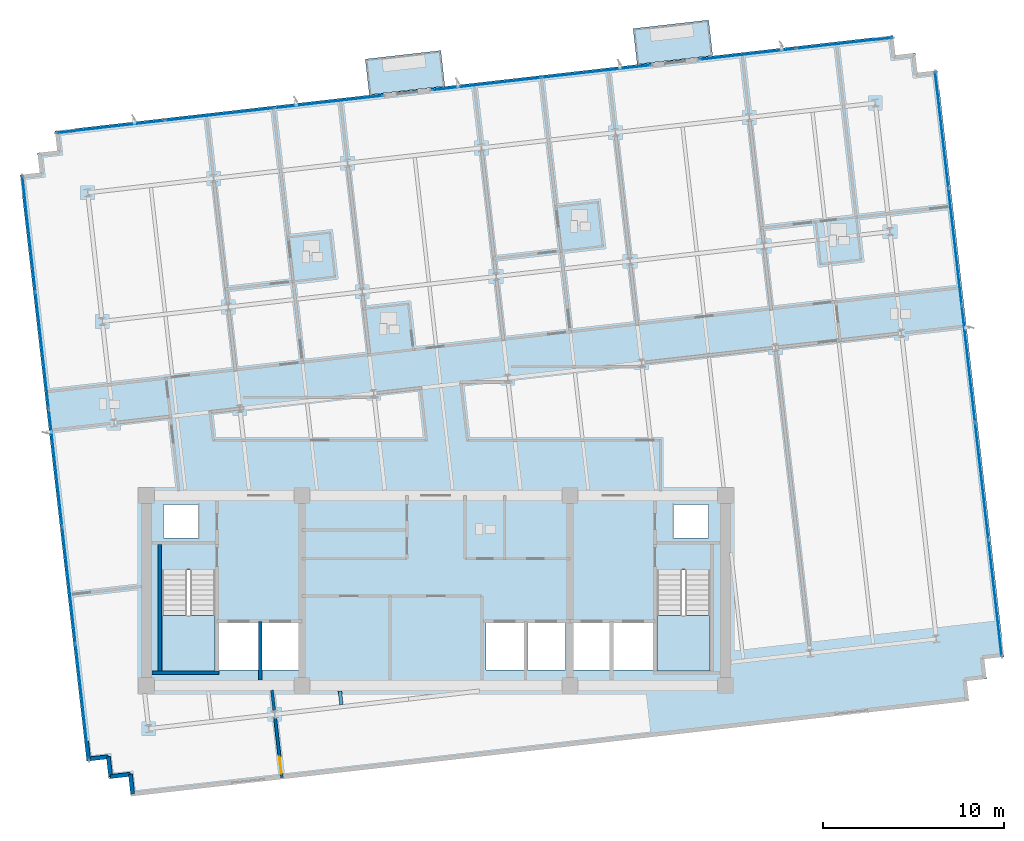
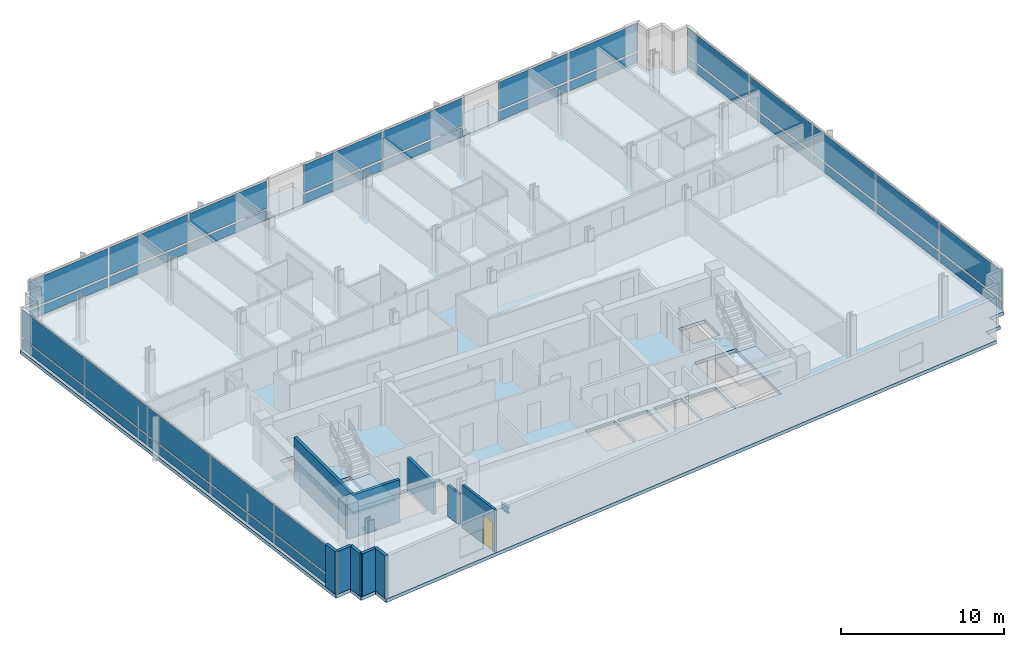
# One storey, part 7 of 16: 34 plates, 10 walls, 5 slabs, 1 beam, 1 door, 1 opening, 7 elements without a shape of their own.
"""IFC4 building model written with IfcOpenShell, lengths in metres."""

from ifc_helpers import new_model, si_unit, direction, frame, frame_2d, origin, origin_2d, place, context, subcontext, project, spatial, polyline, rectangle, i_section, outline, extrude, material, layer, layer_set, material_profile, profile_set, type_object, element, fill, aggregate, save


model = new_model("IFC4")

# Units and contexts
model_context = context("Model", 3, precision=1e-05, world=origin(), true_north=direction((0.0, 1.0)))
body_context = subcontext(model_context, "Body", "Model", "MODEL_VIEW")
ifc_project = project(units=[si_unit("LENGTHUNIT", "METRE"), si_unit("AREAUNIT", "SQUARE_METRE"), si_unit("VOLUMEUNIT", "CUBIC_METRE"), si_unit("PLANEANGLEUNIT", "RADIAN"), si_unit("MASSUNIT", "GRAM", prefix="KILO")], contexts=[model_context])

# Site, building, storey
site_placement = place(None, origin())
site = spatial("IfcSite", under=ifc_project, at=site_placement, CompositionType="ELEMENT")
building_placement = place(site_placement, origin())
building = spatial("IfcBuilding", under=site, at=building_placement, Name="Solmavex Isthmus Hotel", CompositionType="ELEMENT")
storey_placement = place(building_placement, frame((0.0, 0.0, 208.949951171875)))
storey = spatial("IfcBuildingStorey", under=building, at=storey_placement, Name="L56", CompositionType="ELEMENT", Elevation=208.949951171875)

# Beam
ifc_material_1 = material(Name="Steel ASTM A992 Grade 50", Category="steel")
ifc_material_profile = material_profile(ifc_material_1, i_section(OverallWidth=0.1904296875, OverallDepth=0.456787109375, WebThickness=0.009033203125, FlangeThickness=0.014404296875, FilletRadius=0.0126953125, at=origin_2d()), Name="W18X50")
ifc_profile_set = profile_set([ifc_material_profile], Name="Steel ASTM A992 Grade 50")
beam_type = type_object("IfcBeamType", Name="BM-BJ-W18X50", PredefinedType="JOIST", material=ifc_profile_set)
beam_placement = place(storey_placement, frame((-5.2236328125, -14.05419921875, -0.48828125), z_axis=(-0.112902470797, 0.993606074905, 0.0), x_axis=(-0.993606074905, -0.112902470797, 0.0)))
element("IfcBeam", 1, at=beam_placement, inside=storey, type_object=beam_type, Name="Secondary Floor Joist L56-J05", PredefinedType="JOIST", context=body_context, shape_type="SweptSolid", body=[
    extrude(i_section(OverallWidth=0.1904296875, OverallDepth=0.456787109375, WebThickness=0.009033203125, FlangeThickness=0.014404296875, FilletRadius=0.0126953125, at=origin_2d()), origin(), (0.0, 0.0, 1.0), 0.759033203125),
])

# Curtain wall, plates
ifc_material_2 = material(Name="Aluminium alloy 6063-T6", Category="aluminium")
curtain_wall_type = type_object("IfcCurtainWallType", Name="CW-SYS-04", PredefinedType="NOTDEFINED", material=ifc_material_2)
curtain_wall_1_placement = place(storey_placement, origin())
curtain_wall_1 = element("IfcCurtainWall", 2, at=curtain_wall_1_placement, inside=storey, type_object=curtain_wall_type, Name="Stick Curtain Wall CWL-L56-N1", PredefinedType="NOTDEFINED")
ifc_material_3 = material(Name="Clear low-E laminated glass", Category="glass")
ifc_layer_1 = layer(ifc_material_3, 0.033935546875)
ifc_layer_set_1 = layer_set([ifc_layer_1], Name="Clear low-E laminated glass")
plate_type = type_object("IfcPlateType", Name="CW-SYS-04-PNL", PredefinedType="CURTAIN_PANEL", material=ifc_layer_set_1)
plate_1_placement = place(storey_placement, frame((-17.985595703125, 17.87109375, 0.14990234375), z_axis=(0.0, 0.0, 1.0), x_axis=(0.993571885329, 0.113202953513, 0.0)))
plate_1 = element("IfcPlate", 3, at=plate_1_placement, type_object=plate_type, Name="CW-04 panel 1.1", PredefinedType="CURTAIN_PANEL", context=body_context, shape_type="SweptSolid", body=[
    extrude(rectangle(XDim=5.979736328125, YDim=0.033935546875, at=origin_2d()), origin(), (0.0, 0.0, 1.0), 0.675048828125),
])
plate_2_placement = place(storey_placement, frame((-17.985595703125, 17.87109375, 0.97509765625), z_axis=(0.0, 0.0, 1.0), x_axis=(0.993571885329, 0.113202953513, 0.0)))
plate_2 = element("IfcPlate", 4, at=plate_2_placement, type_object=plate_type, Name="CW-04 panel 1.2", PredefinedType="CURTAIN_PANEL", context=body_context, shape_type="SweptSolid", body=[
    extrude(rectangle(XDim=5.979736328125, YDim=0.033935546875, at=origin_2d()), origin(), (0.0, 0.0, 1.0), 2.06494140625),
])
plate_3_placement = place(storey_placement, frame((-11.951171875, 18.558837890625, 0.14990234375), z_axis=(0.0, 0.0, 1.0), x_axis=(0.993571885329, 0.113202953513, 0.0)))
plate_3 = element("IfcPlate", 5, at=plate_3_placement, type_object=plate_type, Name="CW-04 panel 2.1", PredefinedType="CURTAIN_PANEL", context=body_context, shape_type="SweptSolid", body=[
    extrude(rectangle(XDim=6.017333984375, YDim=0.033935546875, at=origin_2d()), origin(), (0.0, 0.0, 1.0), 0.675048828125),
])
plate_4_placement = place(storey_placement, frame((-11.951171875, 18.558837890625, 0.97509765625), z_axis=(0.0, 0.0, 1.0), x_axis=(0.993571885329, 0.113202953513, 0.0)))
plate_4 = element("IfcPlate", 6, at=plate_4_placement, type_object=plate_type, Name="CW-04 panel 2.2", PredefinedType="CURTAIN_PANEL", context=body_context, shape_type="SweptSolid", body=[
    extrude(rectangle(XDim=6.017333984375, YDim=0.033935546875, at=origin_2d()), origin(), (0.0, 0.0, 1.0), 2.06494140625),
])
plate_5_placement = place(storey_placement, frame((-5.91650390625, 19.246337890625, 0.14990234375), z_axis=(0.0, 0.0, 1.0), x_axis=(0.993571885329, 0.113202953513, 0.0)))
plate_5 = element("IfcPlate", 7, at=plate_5_placement, type_object=plate_type, Name="CW-04 panel 3.1", PredefinedType="CURTAIN_PANEL", context=body_context, shape_type="SweptSolid", body=[
    extrude(rectangle(XDim=5.979736328125, YDim=0.033935546875, at=origin_2d()), origin(), (0.0, 0.0, 1.0), 0.675048828125),
])
plate_6_placement = place(storey_placement, frame((-5.91650390625, 19.246337890625, 0.97509765625), z_axis=(0.0, 0.0, 1.0), x_axis=(0.993571885329, 0.113202953513, 0.0)))
plate_6 = element("IfcPlate", 8, at=plate_6_placement, type_object=plate_type, Name="CW-04 panel 3.2", PredefinedType="CURTAIN_PANEL", context=body_context, shape_type="SweptSolid", body=[
    extrude(rectangle(XDim=5.979736328125, YDim=0.033935546875, at=origin_2d()), origin(), (0.0, 0.0, 1.0), 2.06494140625),
])
aggregate(curtain_wall_1, [plate_1, plate_2, plate_3, plate_4, plate_5, plate_6])

curtain_wall_2_placement = place(storey_placement, origin())
curtain_wall_2 = element("IfcCurtainWall", 9, at=curtain_wall_2_placement, inside=storey, type_object=curtain_wall_type, Name="Stick Curtain Wall CWL-L56-N2", PredefinedType="NOTDEFINED")
plate_7_placement = place(storey_placement, frame((2.78369140625, 20.237548828125, 0.14990234375), z_axis=(0.0, 0.0, 1.0), x_axis=(0.993571896348, 0.113202856801, 0.0)))
plate_7 = element("IfcPlate", 10, at=plate_7_placement, type_object=plate_type, Name="CW-04 panel 1.1", PredefinedType="CURTAIN_PANEL", context=body_context, shape_type="SweptSolid", body=[
    extrude(rectangle(XDim=6.033447265625, YDim=0.033935546875, at=origin_2d()), origin(), (0.0, 0.0, 1.0), 0.675048828125),
])
plate_8_placement = place(storey_placement, frame((2.78369140625, 20.237548828125, 0.97509765625), z_axis=(0.0, 0.0, 1.0), x_axis=(0.993571896348, 0.113202856801, 0.0)))
plate_8 = element("IfcPlate", 11, at=plate_8_placement, type_object=plate_type, Name="CW-04 panel 1.2", PredefinedType="CURTAIN_PANEL", context=body_context, shape_type="SweptSolid", body=[
    extrude(rectangle(XDim=6.033447265625, YDim=0.033935546875, at=origin_2d()), origin(), (0.0, 0.0, 1.0), 2.06494140625),
])
plate_9_placement = place(storey_placement, frame((8.85302734375, 20.928955078125, 0.14990234375), z_axis=(0.0, 0.0, 1.0), x_axis=(0.993571896348, 0.113202856801, 0.0)))
plate_9 = element("IfcPlate", 12, at=plate_9_placement, type_object=plate_type, Name="CW-04 panel 2.1", PredefinedType="CURTAIN_PANEL", context=body_context, shape_type="SweptSolid", body=[
    extrude(rectangle(XDim=6.033447265625, YDim=0.033935546875, at=origin_2d()), origin(), (0.0, 0.0, 1.0), 0.675048828125),
])
plate_10_placement = place(storey_placement, frame((8.85302734375, 20.928955078125, 0.97509765625), z_axis=(0.0, 0.0, 1.0), x_axis=(0.993571896348, 0.113202856801, 0.0)))
plate_10 = element("IfcPlate", 13, at=plate_10_placement, type_object=plate_type, Name="CW-04 panel 2.2", PredefinedType="CURTAIN_PANEL", context=body_context, shape_type="SweptSolid", body=[
    extrude(rectangle(XDim=6.033447265625, YDim=0.033935546875, at=origin_2d()), origin(), (0.0, 0.0, 1.0), 2.06494140625),
])
aggregate(curtain_wall_2, [plate_7, plate_8, plate_9, plate_10])

curtain_wall_3_placement = place(storey_placement, origin())
curtain_wall_3 = element("IfcCurtainWall", 14, at=curtain_wall_3_placement, inside=storey, type_object=curtain_wall_type, Name="Stick Curtain Wall CWL-L56-N3", PredefinedType="NOTDEFINED")
plate_11_placement = place(storey_placement, frame((17.217041015625, 21.882080078125, 0.14990234375), z_axis=(0.0, 0.0, 1.0), x_axis=(0.993571797279, 0.113203726319, 0.0)))
plate_11 = element("IfcPlate", 15, at=plate_11_placement, type_object=plate_type, Name="CW-04 panel 1.1", PredefinedType="CURTAIN_PANEL", context=body_context, shape_type="SweptSolid", body=[
    extrude(rectangle(XDim=5.302978515625, YDim=0.033935546875, at=origin_2d()), origin(), (0.0, 0.0, 1.0), 0.675048828125),
])
plate_12_placement = place(storey_placement, frame((17.217041015625, 21.882080078125, 0.97509765625), z_axis=(0.0, 0.0, 1.0), x_axis=(0.993571797279, 0.113203726319, 0.0)))
plate_12 = element("IfcPlate", 16, at=plate_12_placement, type_object=plate_type, Name="CW-04 panel 1.2", PredefinedType="CURTAIN_PANEL", context=body_context, shape_type="SweptSolid", body=[
    extrude(rectangle(XDim=5.302978515625, YDim=0.033935546875, at=origin_2d()), origin(), (0.0, 0.0, 1.0), 2.06494140625),
])
plate_13_placement = place(storey_placement, frame((22.560546875, 22.49072265625, 0.14990234375), z_axis=(0.0, 0.0, 1.0), x_axis=(0.993571797279, 0.113203726319, 0.0)))
plate_13 = element("IfcPlate", 17, at=plate_13_placement, type_object=plate_type, Name="CW-04 panel 2.1", PredefinedType="CURTAIN_PANEL", context=body_context, shape_type="SweptSolid", body=[
    extrude(rectangle(XDim=5.302978515625, YDim=0.033935546875, at=origin_2d()), origin(), (0.0, 0.0, 1.0), 0.675048828125),
])
plate_14_placement = place(storey_placement, frame((22.560546875, 22.49072265625, 0.97509765625), z_axis=(0.0, 0.0, 1.0), x_axis=(0.993571797279, 0.113203726319, 0.0)))
plate_14 = element("IfcPlate", 18, at=plate_14_placement, type_object=plate_type, Name="CW-04 panel 2.2", PredefinedType="CURTAIN_PANEL", context=body_context, shape_type="SweptSolid", body=[
    extrude(rectangle(XDim=5.302978515625, YDim=0.033935546875, at=origin_2d()), origin(), (0.0, 0.0, 1.0), 2.06494140625),
])
aggregate(curtain_wall_3, [plate_11, plate_12, plate_13, plate_14])

curtain_wall_4_placement = place(storey_placement, origin())
curtain_wall_4 = element("IfcCurtainWall", 19, at=curtain_wall_4_placement, inside=storey, type_object=curtain_wall_type, Name="Stick Curtain Wall CWL-L56-W1", PredefinedType="NOTDEFINED")
plate_15_placement = place(storey_placement, frame((-19.542724609375, -13.91064453125, 0.14990234375), z_axis=(0.0, 0.0, 1.0), x_axis=(-0.11320338078, 0.993571836648, 0.0)))
plate_15 = element("IfcPlate", 20, at=plate_15_placement, type_object=plate_type, Name="CW-04 panel 1.1", PredefinedType="CURTAIN_PANEL", context=body_context, shape_type="SweptSolid", body=[
    extrude(rectangle(XDim=6.407470703125, YDim=0.033935546875, at=origin_2d()), origin(), (0.0, 0.0, 1.0), 0.675048828125),
])
plate_16_placement = place(storey_placement, frame((-19.542724609375, -13.91064453125, 0.97509765625), z_axis=(0.0, 0.0, 1.0), x_axis=(-0.11320338078, 0.993571836648, 0.0)))
plate_16 = element("IfcPlate", 21, at=plate_16_placement, type_object=plate_type, Name="CW-04 panel 1.2", PredefinedType="CURTAIN_PANEL", context=body_context, shape_type="SweptSolid", body=[
    extrude(rectangle(XDim=6.407470703125, YDim=0.033935546875, at=origin_2d()), origin(), (0.0, 0.0, 1.0), 2.06494140625),
])
plate_17_placement = place(storey_placement, frame((-20.27880859375, -7.451171875, 0.14990234375), z_axis=(0.0, 0.0, 1.0), x_axis=(-0.11320338078, 0.993571836648, 0.0)))
plate_17 = element("IfcPlate", 22, at=plate_17_placement, type_object=plate_type, Name="CW-04 panel 2.1", PredefinedType="CURTAIN_PANEL", context=body_context, shape_type="SweptSolid", body=[
    extrude(rectangle(XDim=6.445068359375, YDim=0.033935546875, at=origin_2d()), origin(), (0.0, 0.0, 1.0), 0.675048828125),
])
plate_18_placement = place(storey_placement, frame((-20.27880859375, -7.451171875, 0.97509765625), z_axis=(0.0, 0.0, 1.0), x_axis=(-0.11320338078, 0.993571836648, 0.0)))
plate_18 = element("IfcPlate", 23, at=plate_18_placement, type_object=plate_type, Name="CW-04 panel 2.2", PredefinedType="CURTAIN_PANEL", context=body_context, shape_type="SweptSolid", body=[
    extrude(rectangle(XDim=6.445068359375, YDim=0.033935546875, at=origin_2d()), origin(), (0.0, 0.0, 1.0), 2.06494140625),
])
plate_19_placement = place(storey_placement, frame((-21.016845703125, -0.97314453125, 0.14990234375), z_axis=(0.0, 0.0, 1.0), x_axis=(-0.11320338078, 0.993571836648, 0.0)))
plate_19 = element("IfcPlate", 24, at=plate_19_placement, type_object=plate_type, Name="CW-04 panel 3.1", PredefinedType="CURTAIN_PANEL", context=body_context, shape_type="SweptSolid", body=[
    extrude(rectangle(XDim=6.445068359375, YDim=0.033935546875, at=origin_2d()), origin(), (0.0, 0.0, 1.0), 0.675048828125),
])
plate_20_placement = place(storey_placement, frame((-21.016845703125, -0.97314453125, 0.97509765625), z_axis=(0.0, 0.0, 1.0), x_axis=(-0.11320338078, 0.993571836648, 0.0)))
plate_20 = element("IfcPlate", 25, at=plate_20_placement, type_object=plate_type, Name="CW-04 panel 3.2", PredefinedType="CURTAIN_PANEL", context=body_context, shape_type="SweptSolid", body=[
    extrude(rectangle(XDim=6.445068359375, YDim=0.033935546875, at=origin_2d()), origin(), (0.0, 0.0, 1.0), 2.06494140625),
])
plate_21_placement = place(storey_placement, frame((-21.7548828125, 5.5048828125, 0.14990234375), z_axis=(0.0, 0.0, 1.0), x_axis=(-0.11320338078, 0.993571836648, 0.0)))
plate_21 = element("IfcPlate", 26, at=plate_21_placement, type_object=plate_type, Name="CW-04 panel 4.1", PredefinedType="CURTAIN_PANEL", context=body_context, shape_type="SweptSolid", body=[
    extrude(rectangle(XDim=6.445068359375, YDim=0.033935546875, at=origin_2d()), origin(), (0.0, 0.0, 1.0), 0.675048828125),
])
plate_22_placement = place(storey_placement, frame((-21.7548828125, 5.5048828125, 0.97509765625), z_axis=(0.0, 0.0, 1.0), x_axis=(-0.11320338078, 0.993571836648, 0.0)))
plate_22 = element("IfcPlate", 27, at=plate_22_placement, type_object=plate_type, Name="CW-04 panel 4.2", PredefinedType="CURTAIN_PANEL", context=body_context, shape_type="SweptSolid", body=[
    extrude(rectangle(XDim=6.445068359375, YDim=0.033935546875, at=origin_2d()), origin(), (0.0, 0.0, 1.0), 2.06494140625),
])
plate_23_placement = place(storey_placement, frame((-22.490966796875, 11.96435546875, 0.14990234375), z_axis=(0.0, 0.0, 1.0), x_axis=(-0.11320338078, 0.993571836648, 0.0)))
plate_23 = element("IfcPlate", 28, at=plate_23_placement, type_object=plate_type, Name="CW-04 panel 5.1", PredefinedType="CURTAIN_PANEL", context=body_context, shape_type="SweptSolid", body=[
    extrude(rectangle(XDim=6.407470703125, YDim=0.033935546875, at=origin_2d()), origin(), (0.0, 0.0, 1.0), 0.675048828125),
])
plate_24_placement = place(storey_placement, frame((-22.490966796875, 11.96435546875, 0.97509765625), z_axis=(0.0, 0.0, 1.0), x_axis=(-0.11320338078, 0.993571836648, 0.0)))
plate_24 = element("IfcPlate", 29, at=plate_24_placement, type_object=plate_type, Name="CW-04 panel 5.2", PredefinedType="CURTAIN_PANEL", context=body_context, shape_type="SweptSolid", body=[
    extrude(rectangle(XDim=6.407470703125, YDim=0.033935546875, at=origin_2d()), origin(), (0.0, 0.0, 1.0), 2.06494140625),
])
aggregate(curtain_wall_4, [plate_15, plate_16, plate_17, plate_18, plate_19, plate_20, plate_21, plate_22, plate_23, plate_24])

curtain_wall_5_placement = place(storey_placement, origin())
curtain_wall_5 = element("IfcCurtainWall", 30, at=curtain_wall_5_placement, inside=storey, type_object=curtain_wall_type, Name="Stick Curtain Wall CWL-L56-E1", PredefinedType="NOTDEFINED")
plate_25_placement = place(storey_placement, frame((30.890869140625, -8.16455078125, 0.14990234375), z_axis=(0.0, 0.0, 1.0), x_axis=(-0.11320338078, 0.993571836648, 0.0)))
plate_25 = element("IfcPlate", 31, at=plate_25_placement, type_object=plate_type, Name="CW-04 panel 1.1", PredefinedType="CURTAIN_PANEL", context=body_context, shape_type="SweptSolid", body=[
    extrude(rectangle(XDim=6.407470703125, YDim=0.033935546875, at=origin_2d()), origin(), (0.0, 0.0, 1.0), 0.675048828125),
])
plate_26_placement = place(storey_placement, frame((30.890869140625, -8.16455078125, 0.97509765625), z_axis=(0.0, 0.0, 1.0), x_axis=(-0.11320338078, 0.993571836648, 0.0)))
plate_26 = element("IfcPlate", 32, at=plate_26_placement, type_object=plate_type, Name="CW-04 panel 1.2", PredefinedType="CURTAIN_PANEL", context=body_context, shape_type="SweptSolid", body=[
    extrude(rectangle(XDim=6.407470703125, YDim=0.033935546875, at=origin_2d()), origin(), (0.0, 0.0, 1.0), 2.06494140625),
])
plate_27_placement = place(storey_placement, frame((30.155029296875, -1.705078125, 0.14990234375), z_axis=(0.0, 0.0, 1.0), x_axis=(-0.11320338078, 0.993571836648, 0.0)))
plate_27 = element("IfcPlate", 33, at=plate_27_placement, type_object=plate_type, Name="CW-04 panel 2.1", PredefinedType="CURTAIN_PANEL", context=body_context, shape_type="SweptSolid", body=[
    extrude(rectangle(XDim=6.445068359375, YDim=0.033935546875, at=origin_2d()), origin(), (0.0, 0.0, 1.0), 0.675048828125),
])
plate_28_placement = place(storey_placement, frame((30.155029296875, -1.705078125, 0.97509765625), z_axis=(0.0, 0.0, 1.0), x_axis=(-0.11320338078, 0.993571836648, 0.0)))
plate_28 = element("IfcPlate", 34, at=plate_28_placement, type_object=plate_type, Name="CW-04 panel 2.2", PredefinedType="CURTAIN_PANEL", context=body_context, shape_type="SweptSolid", body=[
    extrude(rectangle(XDim=6.445068359375, YDim=0.033935546875, at=origin_2d()), origin(), (0.0, 0.0, 1.0), 2.06494140625),
])
plate_29_placement = place(storey_placement, frame((29.416748046875, 4.773193359375, 0.14990234375), z_axis=(0.0, 0.0, 1.0), x_axis=(-0.11320338078, 0.993571836648, 0.0)))
plate_29 = element("IfcPlate", 35, at=plate_29_placement, type_object=plate_type, Name="CW-04 panel 3.1", PredefinedType="CURTAIN_PANEL", context=body_context, shape_type="SweptSolid", body=[
    extrude(rectangle(XDim=6.445068359375, YDim=0.033935546875, at=origin_2d()), origin(), (0.0, 0.0, 1.0), 0.675048828125),
])
plate_30_placement = place(storey_placement, frame((29.416748046875, 4.773193359375, 0.97509765625), z_axis=(0.0, 0.0, 1.0), x_axis=(-0.11320338078, 0.993571836648, 0.0)))
plate_30 = element("IfcPlate", 36, at=plate_30_placement, type_object=plate_type, Name="CW-04 panel 3.2", PredefinedType="CURTAIN_PANEL", context=body_context, shape_type="SweptSolid", body=[
    extrude(rectangle(XDim=6.445068359375, YDim=0.033935546875, at=origin_2d()), origin(), (0.0, 0.0, 1.0), 2.06494140625),
])
plate_31_placement = place(storey_placement, frame((28.6787109375, 11.251220703125, 0.14990234375), z_axis=(0.0, 0.0, 1.0), x_axis=(-0.11320338078, 0.993571836648, 0.0)))
plate_31 = element("IfcPlate", 37, at=plate_31_placement, type_object=plate_type, Name="CW-04 panel 4.1", PredefinedType="CURTAIN_PANEL", context=body_context, shape_type="SweptSolid", body=[
    extrude(rectangle(XDim=6.445068359375, YDim=0.033935546875, at=origin_2d()), origin(), (0.0, 0.0, 1.0), 0.675048828125),
])
plate_32_placement = place(storey_placement, frame((28.6787109375, 11.251220703125, 0.97509765625), z_axis=(0.0, 0.0, 1.0), x_axis=(-0.11320338078, 0.993571836648, 0.0)))
plate_32 = element("IfcPlate", 38, at=plate_32_placement, type_object=plate_type, Name="CW-04 panel 4.2", PredefinedType="CURTAIN_PANEL", context=body_context, shape_type="SweptSolid", body=[
    extrude(rectangle(XDim=6.445068359375, YDim=0.033935546875, at=origin_2d()), origin(), (0.0, 0.0, 1.0), 2.06494140625),
])
plate_33_placement = place(storey_placement, frame((27.94287109375, 17.710693359375, 0.14990234375), z_axis=(0.0, 0.0, 1.0), x_axis=(-0.11320338078, 0.993571836648, 0.0)))
plate_33 = element("IfcPlate", 39, at=plate_33_placement, type_object=plate_type, Name="CW-04 panel 5.1", PredefinedType="CURTAIN_PANEL", context=body_context, shape_type="SweptSolid", body=[
    extrude(rectangle(XDim=6.407470703125, YDim=0.033935546875, at=origin_2d()), origin(), (0.0, 0.0, 1.0), 0.675048828125),
])
plate_34_placement = place(storey_placement, frame((27.94287109375, 17.710693359375, 0.97509765625), z_axis=(0.0, 0.0, 1.0), x_axis=(-0.11320338078, 0.993571836648, 0.0)))
plate_34 = element("IfcPlate", 40, at=plate_34_placement, type_object=plate_type, Name="CW-04 panel 5.2", PredefinedType="CURTAIN_PANEL", context=body_context, shape_type="SweptSolid", body=[
    extrude(rectangle(XDim=6.407470703125, YDim=0.033935546875, at=origin_2d()), origin(), (0.0, 0.0, 1.0), 2.06494140625),
])
aggregate(curtain_wall_5, [plate_25, plate_26, plate_27, plate_28, plate_29, plate_30, plate_31, plate_32, plate_33, plate_34])

# Slabs
ifc_material_4 = material(Name="Concrete C40/50", Category="concrete")
ifc_layer_2 = layer(ifc_material_4, 0.239990234375)
ifc_layer_set_2 = layer_set([ifc_layer_2], Name="Concrete C40/50")
slab_type_1 = type_object("IfcSlabType", Name="SLAB-BALC-240", PredefinedType="FLOOR", material=ifc_layer_set_2)
slab_1_placement = place(storey_placement, frame((0.0, 0.0, -0.239990234375)))
element("IfcSlab", 41, at=slab_1_placement, inside=storey, type_object=slab_type_1, Name="Tree-Planter Balcony Slab L56-B1", PredefinedType="FLOOR", context=body_context, shape_type="SweptSolid", body=[
    extrude(outline(polyline([(-3.681640625, 19.63671875), (0.491455078125, 20.1123046875), (0.266845703125, 22.08447265625), (-3.90625, 21.609130859375), (-3.681640625, 19.63671875)])), origin(), (0.0, 0.0, 1.0), 0.239990234375),
])
slab_2_placement = place(storey_placement, frame((0.0, 0.0, -0.239990234375)))
element("IfcSlab", 42, at=slab_2_placement, inside=storey, type_object=slab_type_1, Name="Tree-Planter Balcony Slab L56-B2", PredefinedType="FLOOR", context=body_context, shape_type="SweptSolid", body=[
    extrude(outline(polyline([(11.11474609375, 21.322509765625), (15.287841796875, 21.798095703125), (15.06298828125, 23.770263671875), (10.89013671875, 23.294921875), (11.11474609375, 21.322509765625)])), origin(), (0.0, 0.0, 1.0), 0.239990234375),
])
ifc_layer_3 = layer(ifc_material_4, 0.260009765625)
ifc_layer_set_3 = layer_set([ifc_layer_3], Name="Concrete C40/50")
slab_type_2 = type_object("IfcSlabType", Name="SLAB-TYP-260", PredefinedType="FLOOR", material=ifc_layer_set_3)
slab_3_placement = place(storey_placement, frame((0.0, 0.0, -0.260009765625)))
element("IfcSlab", 43, at=slab_3_placement, inside=storey, type_object=slab_type_2, Name="Tower Structural Floor Slab L56", PredefinedType="FLOOR", context=body_context, shape_type="SweptSolid", body=[
    extrude(outline(polyline([(-15.762939453125, -18.994140625), (28.3515625, -13.968017578125), (29.444580078125, -13.843505859375), (29.320068359375, -12.75048828125), (30.412841796875, -12.6259765625), (30.288330078125, -11.532958984375), (31.38134765625, -11.408447265625), (31.2568359375, -10.315673828125), (27.8154296875, 19.888916015625), (27.69091796875, 20.98193359375), (26.597900390625, 20.857421875), (26.473388671875, 21.9501953125), (25.38037109375, 21.82568359375), (25.255859375, 22.918701171875), (24.1630859375, 22.794189453125), (-19.95166015625, 17.76806640625), (-21.04443359375, 17.6435546875), (-20.919921875, 16.550537109375), (-22.012939453125, 16.426025390625), (-21.888427734375, 15.3330078125), (-22.981201171875, 15.20849609375), (-22.856689453125, 14.11572265625), (-19.415283203125, -16.0888671875), (-19.290771484375, -17.181884765625), (-18.197998046875, -17.057373046875), (-18.073486328125, -18.150390625), (-16.98046875, -18.02587890625), (-16.85595703125, -19.11865234375), (-15.762939453125, -18.994140625)]), holes=[polyline([(-15.14990234375, -6.617919921875), (-15.14990234375, -12.199951171875), (-12.199951171875, -12.199951171875), (-12.199951171875, -6.617919921875), (-15.14990234375, -6.617919921875)]), polyline([(12.199951171875, -6.617919921875), (12.199951171875, -12.199951171875), (15.14990234375, -12.199951171875), (15.14990234375, -6.617919921875), (12.199951171875, -6.617919921875)]), polyline([(-12.0, -12.14990234375), (-9.800048828125, -12.14990234375), (-9.800048828125, -9.550048828125), (-12.0, -9.550048828125), (-12.0, -12.14990234375)]), polyline([(9.800048828125, -12.14990234375), (12.0, -12.14990234375), (12.0, -9.550048828125), (9.800048828125, -9.550048828125), (9.800048828125, -12.14990234375)]), polyline([(-9.60009765625, -12.14990234375), (-7.60009765625, -12.14990234375), (-7.60009765625, -9.550048828125), (-9.60009765625, -9.550048828125), (-9.60009765625, -12.14990234375)]), polyline([(7.60009765625, -12.14990234375), (9.60009765625, -12.14990234375), (9.60009765625, -9.550048828125), (7.60009765625, -9.550048828125), (7.60009765625, -12.14990234375)]), polyline([(2.75, -12.14990234375), (4.85009765625, -12.14990234375), (4.85009765625, -9.550048828125), (2.75, -9.550048828125), (2.75, -12.14990234375)]), polyline([(5.050048828125, -12.14990234375), (7.14990234375, -12.14990234375), (7.14990234375, -9.550048828125), (5.050048828125, -9.550048828125), (5.050048828125, -12.14990234375)]), polyline([(-15.050048828125, -4.85009765625), (-13.14990234375, -4.85009765625), (-13.14990234375, -3.0), (-15.050048828125, -3.0), (-15.050048828125, -4.85009765625)]), polyline([(13.14990234375, -4.85009765625), (15.050048828125, -4.85009765625), (15.050048828125, -3.0), (13.14990234375, -3.0), (13.14990234375, -4.85009765625)])]), origin(), (0.0, 0.0, 1.0), 0.260009765625),
])

# Stair, slab
stair_type_1 = type_object("IfcStairType", Name="STR-ST-1", PredefinedType="HALF_TURN_STAIR", material=ifc_material_4)
stair_1_placement = place(storey_placement, origin())
stair_1 = element("IfcStair", 44, at=stair_1_placement, inside=storey, type_object=stair_type_1, Name="L56 Protected Exit Stair ST-1", PredefinedType="HALF_TURN_STAIR")
ifc_layer_4 = layer(ifc_material_4, 0.219970703125)
ifc_layer_set_4 = layer_set([ifc_layer_4], Name="Concrete C40/50")
slab_type_3 = type_object("IfcSlabType", Name="SLD-ST-1", PredefinedType="LANDING", material=ifc_layer_set_4)
slab_4_placement = place(storey_placement, frame((0.0, 0.0, 1.525146484375)))
slab_4 = element("IfcSlab", 45, at=slab_4_placement, type_object=slab_type_3, Name="ST-1 landing 1", PredefinedType="LANDING", context=body_context, shape_type="SweptSolid", body=[
    extrude(outline(polyline([(-15.14990234375, -9.1201171875), (-15.14990234375, -12.199951171875), (-12.199951171875, -12.199951171875), (-12.199951171875, -9.1201171875), (-15.14990234375, -9.1201171875)])), origin(), (0.0, 0.0, 1.0), 0.199951171875),
])
aggregate(stair_1, [slab_4])

stair_type_2 = type_object("IfcStairType", Name="STR-ST-2", PredefinedType="HALF_TURN_STAIR", material=ifc_material_4)
stair_2_placement = place(storey_placement, origin())
stair_2 = element("IfcStair", 46, at=stair_2_placement, inside=storey, type_object=stair_type_2, Name="L56 Protected Exit Stair ST-2", PredefinedType="HALF_TURN_STAIR")
ifc_layer_5 = layer(ifc_material_4, 0.219970703125)
ifc_layer_set_5 = layer_set([ifc_layer_5], Name="Concrete C40/50")
slab_type_4 = type_object("IfcSlabType", Name="SLD-ST-2", PredefinedType="LANDING", material=ifc_layer_set_5)
slab_5_placement = place(storey_placement, frame((0.0, 0.0, 1.525146484375)))
slab_5 = element("IfcSlab", 47, at=slab_5_placement, type_object=slab_type_4, Name="ST-2 landing 1", PredefinedType="LANDING", context=body_context, shape_type="SweptSolid", body=[
    extrude(outline(polyline([(12.199951171875, -9.1201171875), (12.199951171875, -12.199951171875), (15.14990234375, -12.199951171875), (15.14990234375, -9.1201171875), (12.199951171875, -9.1201171875)])), origin(), (0.0, 0.0, 1.0), 0.199951171875),
])
aggregate(stair_2, [slab_5])

# Walls
ifc_material_5 = material(Name="Precast Concrete C40/50", Category="concrete")
ifc_layer_6 = layer(ifc_material_5, 0.25)
ifc_layer_set_6 = layer_set([ifc_layer_6], Name="Precast Concrete C40/50")
wall_type_1 = type_object("IfcWallType", Name="EW-TWR-250", PredefinedType="STANDARD", material=ifc_layer_set_6)
for number, where, z_axis, x_axis, name in (
    (48, (-16.759033203125, -18.9970703125, 0.0), (0.0, 0.0, 1.0), (-0.113183557839, 0.99357409499, 0.0), "Serrated Corner Facade Panel L56-01"),
    (49, (-16.883544921875, -17.904052734375, 0.0), (0.0, 0.0, 1.0), (-0.99357409499, -0.113183557839, 0.0), "Serrated Corner Facade Panel L56-02"),
    (50, (-17.9765625, -18.028564453125, 0.0), (0.0, 0.0, 1.0), (-0.113183557839, 0.99357409499, 0.0), "Serrated Corner Facade Panel L56-03"),
    (51, (-18.10107421875, -16.935546875, 0.0), (0.0, 0.0, 1.0), (-0.99357409499, -0.113183557839, 0.0), "Serrated Corner Facade Panel L56-04"),
):
    element("IfcWall", number, at=place(storey_placement, frame(where, z_axis=z_axis, x_axis=x_axis)), inside=storey, type_object=wall_type_1, Name=name, PredefinedType="STANDARD", context=body_context, shape_type="SweptSolid", body=[
        extrude(rectangle(XDim=1.10009765625, YDim=0.219970703125, at=frame_2d((0.550048828125, 0.0))), origin(), (0.0, 0.0, 1.0), 3.18994140625),
    ])
wall_1_placement = place(storey_placement, frame((-19.194091796875, -17.06005859375, 0.0), z_axis=(0.0, 0.0, 1.0), x_axis=(-0.113191877531, 0.993573147212, 0.0)))
element("IfcWall", 52, at=wall_1_placement, inside=storey, type_object=wall_type_1, Name="Serrated Corner Facade Panel L56-05", PredefinedType="STANDARD", context=body_context, shape_type="SweptSolid", body=[
    extrude(rectangle(XDim=0.989990234375, YDim=0.219970703125, at=frame_2d((0.4951171875, 0.0))), origin(), (0.0, 0.0, 1.0), 3.18994140625),
])
ifc_material_6 = material(Name="Gypsum plasterboard lining", Category="gypsum")
ifc_layer_7 = layer(ifc_material_6, 0.159912109375)
ifc_layer_set_7 = layer_set([ifc_layer_7], Name="Gypsum plasterboard lining")
wall_type_2 = type_object("IfcWallType", Name="IW-COMP-160", PredefinedType="PARTITIONING", material=ifc_layer_set_7)
wall_2_placement = place(storey_placement, frame((-9.06103515625, -13.26025390625, 0.0), z_axis=(0.0, 0.0, 1.0), x_axis=(0.113244385981, -0.993567163831, 0.0)))
element("IfcWall", 53, at=wall_2_placement, inside=storey, type_object=wall_type_2, Name="Interior Partition Wall W-L56-P071", PredefinedType="PARTITIONING", context=body_context, shape_type="SweptSolid", body=[
    extrude(rectangle(XDim=1.162109375, YDim=0.159912109375, at=frame_2d((0.5810546875, 0.0))), origin(), (0.0, 0.0, 1.0), 2.324951171875),
])

# Wall, opening, door
wall_3_placement = place(storey_placement, frame((-8.8896484375, -14.765380859375, 0.0), z_axis=(0.0, 0.0, 1.0), x_axis=(0.113252098743, -0.993566284719, 0.0)))
wall_3 = element("IfcWall", 54, at=wall_3_placement, inside=storey, type_object=wall_type_2, Name="Interior Partition Wall W-L56-P072", PredefinedType="PARTITIONING", context=body_context, shape_type="SweptSolid", body=[
    extrude(rectangle(XDim=3.343505859375, YDim=0.159912109375, at=frame_2d((1.671875, 0.0))), origin(), (0.0, 0.0, 1.0), 3.18994140625),
])
opening_placement = place(wall_3_placement, frame((2.18359375, 0.0, 0.0)))
opening = element("IfcOpeningElement", 55, at=opening_placement, cuts=wall_3, Name="Opening ID-C095", PredefinedType="OPENING", context=body_context, shape_type="SweptSolid", body=[
    extrude(rectangle(XDim=0.949951171875, YDim=2.14990234375, at=frame_2d((0.47509765625, 1.074951171875))), frame((0.0, 0.08984375, 0.0), z_axis=(0.0, -1.0, 0.0), x_axis=(1.0, 0.0, 0.0)), (0.0, 0.0, 1.0), 0.179931640625),
])
ifc_material_7 = material(Name="Hardwood timber", Category="wood")
door_type = type_object("IfcDoorType", Name="IDR-FD60-0950", OperationType="NOTDEFINED", PredefinedType="DOOR", material=ifc_material_7)
door_placement = place(opening_placement, frame((0.949951171875, 0.0, 0.0), z_axis=(0.0, 0.0, 1.0), x_axis=(-1.0, 0.0, 0.0)))
door = element("IfcDoor", 56, at=door_placement, inside=storey, type_object=door_type, Name="Corporate Briefing Office Door L56-22", OperationType="SINGLE_SWING_RIGHT", OverallHeight=2.14990234375, OverallWidth=0.949951171875, PredefinedType="DOOR", context=body_context, shape_type="SweptSolid", body=[
    extrude(rectangle(XDim=0.949951171875, YDim=2.14990234375, at=frame_2d((0.47509765625, 1.074951171875))), frame((0.0, 0.02490234375, 0.0), z_axis=(0.0, -1.0, 0.0), x_axis=(1.0, 0.0, 0.0)), (0.0, 0.0, 1.0), 0.050048828125),
])
fill(opening, door)

# Walls
ifc_layer_8 = layer(ifc_material_4, 0.199951171875)
ifc_layer_set_8 = layer_set([ifc_layer_8], Name="Concrete C40/50")
wall_type_3 = type_object("IfcWallType", Name="IW-SHAFT-200", PredefinedType="PARTITIONING", material=ifc_layer_set_8)
wall_4_placement = place(storey_placement, frame((-9.699951171875, -12.699951171875, 0.0), z_axis=(0.0, 0.0, 1.0), x_axis=(0.0, 1.0, 0.0)))
element("IfcWall", 57, at=wall_4_placement, inside=storey, type_object=wall_type_3, Name="Interior Partition Wall W-L56-FFLW-M", PredefinedType="PARTITIONING", context=body_context, shape_type="SweptSolid", body=[
    extrude(rectangle(XDim=3.25, YDim=0.199951171875, at=frame_2d((1.625, 0.0))), origin(), (0.0, 0.0, 1.0), 2.324951171875),
])
ifc_layer_9 = layer(ifc_material_4, 0.199951171875)
ifc_layer_set_9 = layer_set([ifc_layer_9], Name="Concrete C40/50")
wall_type_4 = type_object("IfcWallType", Name="WALL-SW-200", PredefinedType="SOLIDWALL", material=ifc_layer_set_9)
wall_5_placement = place(storey_placement, frame((-15.699951171875, -12.300048828125, 0.0), z_axis=(0.0, 0.0, 1.0), x_axis=(1.0, 0.0, 0.0)))
element("IfcWall", 58, at=wall_5_placement, inside=storey, type_object=wall_type_4, Name="Stairwell Structural Wall SW-L56-ST1-S", PredefinedType="SOLIDWALL", context=body_context, shape_type="SweptSolid", body=[
    extrude(rectangle(XDim=3.699951171875, YDim=0.199951171875, at=frame_2d((1.85009765625, 0.0))), origin(), (0.0, 0.0, 1.0), 3.18994140625),
])
wall_6_placement = place(storey_placement, frame((-15.25, -12.199951171875, 0.0), z_axis=(0.0, 0.0, 1.0), x_axis=(0.0, 1.0, 0.0)))
element("IfcWall", 59, at=wall_6_placement, inside=storey, type_object=wall_type_4, Name="Stairwell Structural Wall SW-L56-ST1-W", PredefinedType="SOLIDWALL", context=body_context, shape_type="SweptSolid", body=[
    extrude(rectangle(XDim=7.0, YDim=0.199951171875, at=frame_2d((3.5, 0.0))), origin(), (0.0, 0.0, 1.0), 3.18994140625),
])

save(model, "model.ifc")
